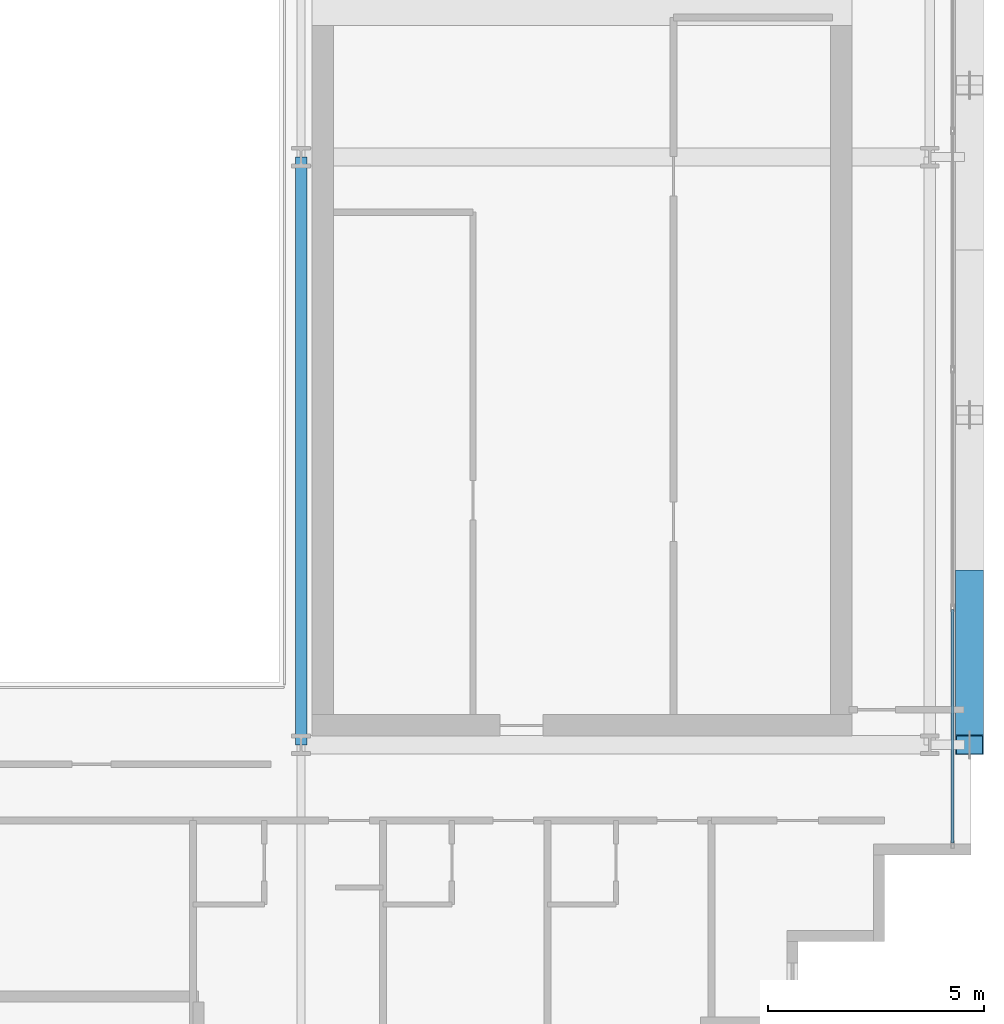
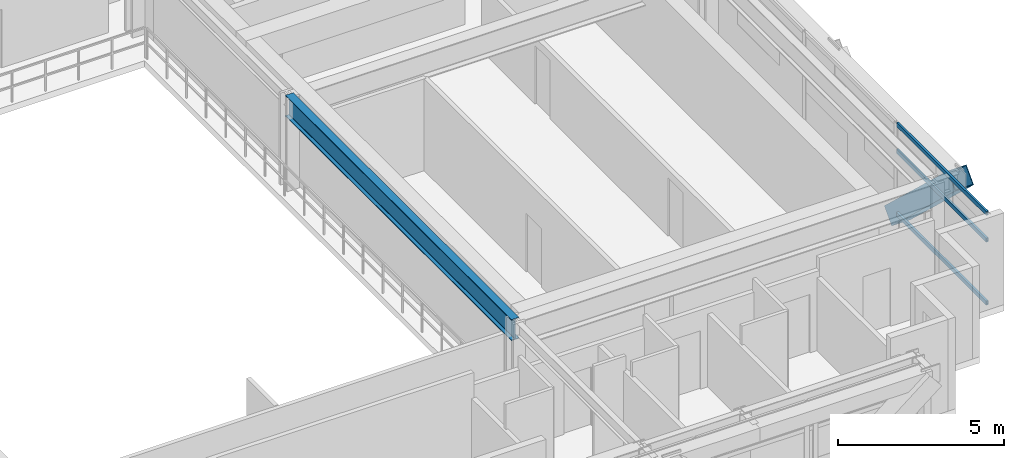
# One storey, part 11 of 32: 4 members, 1 beam, 1 element without a shape of its own.
"""IFC4 building model written with IfcOpenShell, lengths in metres."""

from ifc_helpers import new_model, si_unit, direction, frame, origin, origin_2d, place, context, subcontext, project, spatial, hollow_rectangle, i_section, extrude, source, transform, mapped, material, layer, layer_set, material_profile, profile_set, type_object, element, aggregate, save


model = new_model("IFC4")

# Units and contexts
model_context = context("Model", 3, precision=1e-05, world=origin(), true_north=direction((0.0, 1.0)))
body_context = subcontext(model_context, "Body", "Model", "MODEL_VIEW")
ifc_project = project(units=[si_unit("LENGTHUNIT", "METRE"), si_unit("AREAUNIT", "SQUARE_METRE"), si_unit("VOLUMEUNIT", "CUBIC_METRE"), si_unit("PLANEANGLEUNIT", "RADIAN"), si_unit("MASSUNIT", "GRAM", prefix="KILO")], contexts=[model_context])

# Site, building, storey
site_placement = place(None, origin())
site = spatial("IfcSite", under=ifc_project, at=site_placement, CompositionType="ELEMENT")
building_placement = place(site_placement, origin())
building = spatial("IfcBuilding", under=site, at=building_placement, Name="Ocotamira Hotel", CompositionType="ELEMENT")
storey_placement = place(building_placement, frame((0.0, 0.0, 206.39990234375)))
storey = spatial("IfcBuildingStorey", under=building, at=storey_placement, Name="L52", CompositionType="ELEMENT", Elevation=206.39990234375)

# Beam
ifc_material_1 = material(Name="Steel ASTM A992 Grade 50", Category="steel")
ifc_material_profile_1 = material_profile(ifc_material_1, i_section(OverallWidth=0.26611328125, OverallDepth=0.779052734375, WebThickness=0.0166015625, FlangeThickness=0.030029296875, FilletRadius=0.01806640625, at=origin_2d()), Name="W30X148")
ifc_profile_set_1 = profile_set([ifc_material_profile_1], Name="Steel ASTM A992 Grade 50")
beam_type = type_object("IfcBeamType", Name="BM-GIRD-W30X148", PredefinedType="BEAM", material=ifc_profile_set_1)
shared_shape_1 = source(origin(), body_context, "Body", "SweptSolid", [
    extrude(i_section(OverallWidth=0.26611328125, OverallDepth=0.779052734375, WebThickness=0.0166015625, FlangeThickness=0.030029296875, FilletRadius=0.01806640625, at=origin_2d()), origin(), (0.0, 0.0, 1.0), 13.599853515625),
])
beam_placement = place(storey_placement, frame((40.5, 14.550048828125, 2.980712890625), z_axis=(0.0, 1.0, 0.0), x_axis=(-1.0, 0.0, 0.0)))
element("IfcBeam", 1, at=beam_placement, inside=storey, type_object=beam_type, Name="L52 Beam X40.5 Y14.55-28.15", PredefinedType="BEAM", context=body_context, shape_type="MappedRepresentation", body=[
    mapped(shared_shape_1, transform((0.0, 0.0, 0.0), scale=1.0)),
])

# Member
ifc_material_2 = material(Name="Pale-metal coated steel ASTM A913 Grade 65", Category="steel")
ifc_material_profile_2 = material_profile(ifc_material_2, hollow_rectangle(XDim=0.64990234375, YDim=0.64990234375, WallThickness=0.02197265625, at=origin_2d()), Name="BOX650X650X22")
ifc_profile_set_2 = profile_set([ifc_material_profile_2], Name="Pale-metal coated steel ASTM A913 Grade 65")
member_type_1 = type_object("IfcMemberType", Name="MEM-EXO-BOX650", PredefinedType="BRACE", material=ifc_profile_set_2)
shared_shape_2 = source(origin(), body_context, "Body", "SweptSolid", [
    extrude(hollow_rectangle(XDim=0.64990234375, YDim=0.64990234375, WallThickness=0.02197265625, at=origin_2d()), origin(), (0.0, 0.0, 1.0), 5.24658203125),
])
member_1_placement = place(storey_placement, frame((55.969970703125, 18.36669921875, -0.47998046875), z_axis=(0.0, -0.727442733726, 0.686168397078), x_axis=(1.0, 0.0, 0.0)))
element("IfcMember", 2, at=member_1_placement, inside=storey, type_object=member_type_1, Name="L52 Exoskeleton Diagrid E0.1", PredefinedType="BRACE", context=body_context, shape_type="MappedRepresentation", body=[
    mapped(shared_shape_2, transform((0.0, 0.0, 0.0), scale=1.0)),
])

# Curtain wall, members
ifc_material_3 = material(Name="Anodised pale-metal aluminium and solar glass", Category="aluminium")
ifc_layer = layer(ifc_material_3, 0.199951171875)
ifc_layer_set = layer_set([ifc_layer], Name="Anodised pale-metal aluminium and solar glass")
curtain_wall_type = type_object("IfcCurtainWallType", Name="CW-SYS4-Z3", PredefinedType="NOTDEFINED", material=ifc_layer_set)
curtain_wall_placement = place(storey_placement, origin())
curtain_wall = element("IfcCurtainWall", 3, at=curtain_wall_placement, inside=storey, type_object=curtain_wall_type, Name="L52 Curtain Wall CW-4 CW-L52-E", PredefinedType="NOTDEFINED")
ifc_material_4 = material(Name="Anodised pale-metal aluminium 6063-T6", Category="aluminium")
ifc_material_profile_3 = material_profile(ifc_material_4, hollow_rectangle(XDim=0.074951171875, YDim=0.14990234375, WallThickness=0.006103515625, at=origin_2d()), Name="HSS150X75X6")
ifc_profile_set_3 = profile_set([ifc_material_profile_3], Name="Anodised pale-metal aluminium 6063-T6")
member_type_2 = type_object("IfcMemberType", Name="CWT-150X75", PredefinedType="USERDEFINED", material=ifc_profile_set_3)
shared_shape_3 = source(origin(), body_context, "Body", "SweptSolid", [
    extrude(hollow_rectangle(XDim=0.074951171875, YDim=0.14990234375, WallThickness=0.006103515625, at=origin_2d()), origin(), (0.0, 0.0, 1.0), 5.39990234375),
])
member_2_placement = place(storey_placement, frame((55.580078125, 12.280029296875, 0.03759765625), z_axis=(0.0, 1.0, 0.0), x_axis=(-1.0, 0.0, 0.0)))
member_2 = element("IfcMember", 4, at=member_2_placement, type_object=member_type_2, Name="CW-4 transom 1.1", ObjectType="TRANSOM", PredefinedType="USERDEFINED", context=body_context, shape_type="MappedRepresentation", body=[
    mapped(shared_shape_3, transform((0.0, 0.0, 0.0), scale=1.0)),
])
member_3_placement = place(storey_placement, frame((55.580078125, 12.280029296875, 2.35009765625), z_axis=(0.0, 1.0, 0.0), x_axis=(-1.0, 0.0, 0.0)))
member_3 = element("IfcMember", 5, at=member_3_placement, type_object=member_type_2, Name="CW-4 transom 1.2", ObjectType="TRANSOM", PredefinedType="USERDEFINED", context=body_context, shape_type="MappedRepresentation", body=[
    mapped(shared_shape_3, transform((0.0, 0.0, 0.0), scale=1.0)),
])
member_4_placement = place(storey_placement, frame((55.580078125, 12.280029296875, 3.33251953125), z_axis=(0.0, 1.0, 0.0), x_axis=(-1.0, 0.0, 0.0)))
member_4 = element("IfcMember", 6, at=member_4_placement, type_object=member_type_2, Name="CW-4 transom 1.3", ObjectType="TRANSOM", PredefinedType="USERDEFINED", context=body_context, shape_type="MappedRepresentation", body=[
    mapped(shared_shape_3, transform((0.0, 0.0, 0.0), scale=1.0)),
])
aggregate(curtain_wall, [member_2, member_3, member_4])

save(model, "model.ifc")
